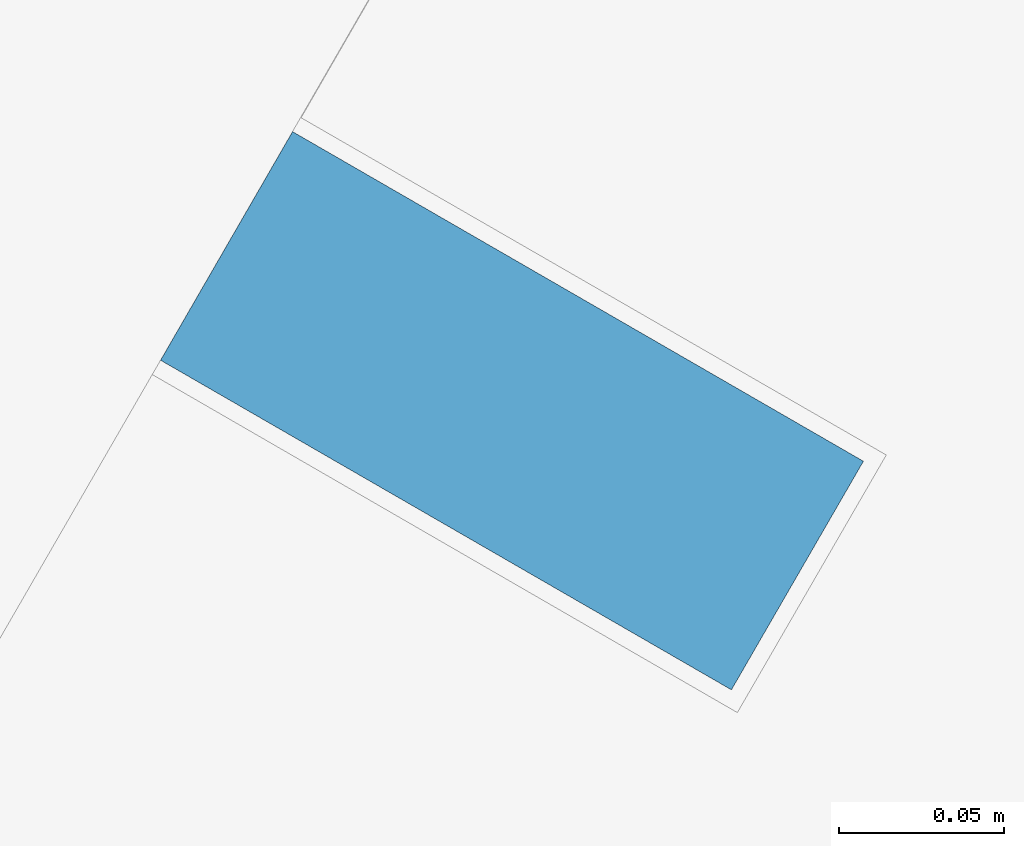
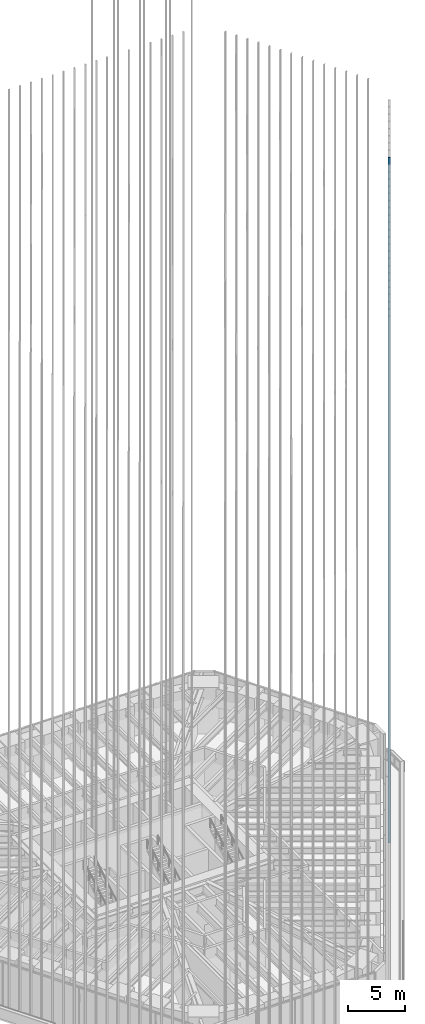
# One storey, part 114 of 228: 1 member, 1 element without a shape of its own.
"""IFC4 building model written with IfcOpenShell, lengths in metres."""

from ifc_helpers import new_model, si_unit, direction, frame, origin, origin_2d, place, context, subcontext, project, spatial, rectangle, extrude, material, material_profile, profile_set, type_object, element, aggregate, save


model = new_model("IFC4")

# Units and contexts
model_context = context("Model", 3, precision=1e-05, world=origin(), true_north=direction((0.0, 1.0)))
body_context = subcontext(model_context, "Body", "Model", "MODEL_VIEW")
ifc_project = project(units=[si_unit("LENGTHUNIT", "METRE"), si_unit("AREAUNIT", "SQUARE_METRE"), si_unit("VOLUMEUNIT", "CUBIC_METRE"), si_unit("PLANEANGLEUNIT", "RADIAN"), si_unit("MASSUNIT", "GRAM", prefix="KILO")], contexts=[model_context])

# Site, building, storey
site_placement = place(None, origin())
site = spatial("IfcSite", under=ifc_project, at=site_placement, CompositionType="ELEMENT")
building_placement = place(site_placement, origin())
building = spatial("IfcBuilding", under=site, at=building_placement, Name="Sandreach Pilgrim Tower", CompositionType="ELEMENT")
storey_placement = place(building_placement, frame((0.0, 0.0, 178.199951171875)))
storey = spatial("IfcBuildingStorey", under=building, at=storey_placement, Name="L44", CompositionType="ELEMENT", Elevation=178.199951171875)

# Curtain wall, member
ifc_material_1 = material(Name="Aluminium framed curtain wall", Category="aluminium")
curtain_wall_type = type_object("IfcCurtainWallType", Name="Upper hotel tower curtain wall", PredefinedType="NOTDEFINED", material=ifc_material_1)
curtain_wall_placement = place(storey_placement, origin())
curtain_wall = element("IfcCurtainWall", 1, at=curtain_wall_placement, inside=storey, type_object=curtain_wall_type, Name="CW-3 L44 SE", PredefinedType="NOTDEFINED")
ifc_material_2 = material(Name="Extruded terracotta on aluminium core", Category="masonry")
ifc_material_profile = material_profile(ifc_material_2, rectangle(XDim=0.080078125, YDim=0.199951171875, at=origin_2d()), Name="TBE 80X200")
ifc_profile_set = profile_set([ifc_material_profile], Name="Extruded terracotta on aluminium core")
member_type = type_object("IfcMemberType", Name="Terracotta baguette east", PredefinedType="USERDEFINED", material=ifc_profile_set)
member_placement = place(storey_placement, frame((22.526123046875, -4.103759765625, 0.0), z_axis=(0.0, 0.0, 1.0), x_axis=(-0.5, -0.866025403784, 0.0)))
member = element("IfcMember", 2, at=member_placement, type_object=member_type, Name="Baguette Z3 SE09", ObjectType="BAGUETTE", PredefinedType="USERDEFINED", context=body_context, shape_type="SweptSolid", body=[
    extrude(rectangle(XDim=0.080078125, YDim=0.199951171875, at=origin_2d()), origin(), (0.0, 0.0, 1.0), 73.239990234375),
])
aggregate(curtain_wall, [member])

save(model, "model.ifc")
